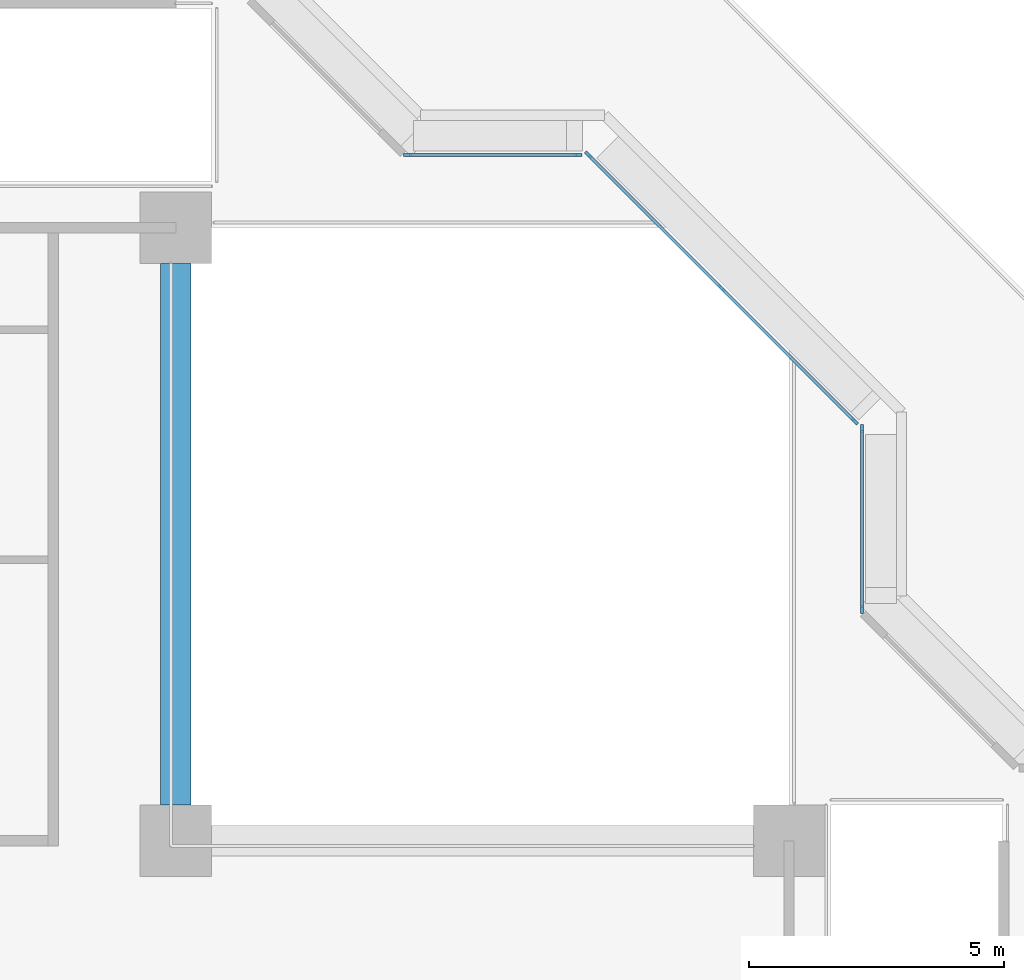
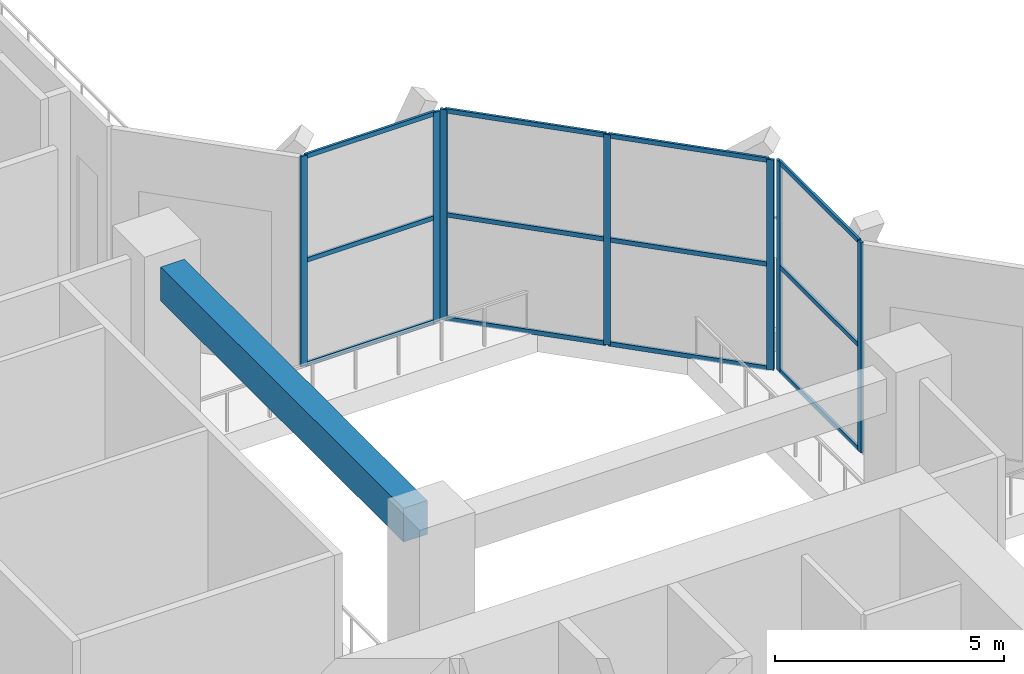
# One storey, part 2 of 16: 19 members, 1 beam, 3 elements without a shape of their own.
"""IFC4 building model written with IfcOpenShell, lengths in metres."""

from ifc_helpers import new_model, si_unit, direction, frame, origin, origin_2d, place, context, subcontext, project, spatial, rectangle, extrude, material, layer, layer_set, material_profile, profile_set, type_object, element, aggregate, save


model = new_model("IFC4")

# Units and contexts
model_context = context("Model", 3, precision=1e-05, world=origin(), true_north=direction((0.0, 1.0)))
body_context = subcontext(model_context, "Body", "Model", "MODEL_VIEW")
ifc_project = project(units=[si_unit("LENGTHUNIT", "METRE"), si_unit("AREAUNIT", "SQUARE_METRE"), si_unit("VOLUMEUNIT", "CUBIC_METRE"), si_unit("PLANEANGLEUNIT", "RADIAN"), si_unit("MASSUNIT", "GRAM", prefix="KILO")], contexts=[model_context])

# Site, building, storey
site_placement = place(None, origin())
site = spatial("IfcSite", under=ifc_project, at=site_placement, CompositionType="ELEMENT")
building_placement = place(site_placement, origin())
building = spatial("IfcBuilding", under=site, at=building_placement, Name="Chenar Terraces", CompositionType="ELEMENT")
storey_placement = place(building_placement, frame((0.0, 0.0, 35.39990234375)))
storey = spatial("IfcBuildingStorey", under=building, at=storey_placement, Name="L06", CompositionType="ELEMENT", Elevation=35.39990234375)

# Beam
ifc_material_1 = material(Name="Concrete C40/50", Category="concrete")
ifc_material_profile_1 = material_profile(ifc_material_1, rectangle(XDim=0.60009765625, YDim=0.89990234375, at=origin_2d()), Name="RC 600 x 900")
ifc_profile_set_1 = profile_set([ifc_material_profile_1], Name="Concrete C40/50")
beam_type = type_object("IfcBeamType", Name="Atrium edge beam 600 x 900 Concrete C40/50", PredefinedType="BEAM", material=ifc_profile_set_1)
beam_placement = place(storey_placement, frame((24.0, 35.300048828125, 5.150146484375), z_axis=(0.0, -1.0, 0.0), x_axis=(1.0, 0.0, 0.0)))
element("IfcBeam", 1, at=beam_placement, inside=storey, type_object=beam_type, Name="Atrium edge beam L07 4", PredefinedType="BEAM", context=body_context, shape_type="SweptSolid", body=[
    extrude(rectangle(XDim=0.60009765625, YDim=0.89990234375, at=origin_2d()), origin(), (0.0, 0.0, 1.0), 10.60009765625),
])

# Curtain wall, members
ifc_material_2 = material(Name="Aluminium framed glazing", Category="aluminium")
ifc_layer = layer(ifc_material_2, 0.14990234375)
ifc_layer_set = layer_set([ifc_layer], Name="Aluminium framed glazing")
curtain_wall_type = type_object("IfcCurtainWallType", Name="Atrium curtain wall", PredefinedType="NOTDEFINED", material=ifc_layer_set)
placement = place(storey_placement, origin())
curtain_wall_1 = element("IfcCurtainWall", 2, at=placement, inside=storey, type_object=curtain_wall_type, Name="Atrium curtain wall", PredefinedType="NOTDEFINED")
ifc_material_3 = material(Name="Aluminium", Category="aluminium")
ifc_material_profile_2 = material_profile(ifc_material_3, rectangle(XDim=0.06005859375, YDim=0.159912109375, at=origin_2d()), Name="Atrium glazing mullion 60 x 160")
ifc_profile_set_2 = profile_set([ifc_material_profile_2], Name="Aluminium")
member_type_1 = type_object("IfcMemberType", Name="Atrium glazing mullion 60 x 160", PredefinedType="MULLION", material=ifc_profile_set_2)
member_1_placement = place(storey_placement, frame((37.425048828125, 28.530029296875, 0.0), z_axis=(0.0, 0.0, 1.0), x_axis=(-1.0, 0.0, 0.0)))
member_1 = element("IfcMember", 3, at=member_1_placement, type_object=member_type_1, Name="CW1-1 mullion 1", PredefinedType="MULLION", context=body_context, shape_type="SweptSolid", body=[
    extrude(rectangle(XDim=0.06005859375, YDim=0.159912109375, at=origin_2d()), origin(), (0.0, 0.0, 1.0), 5.60009765625),
])
member_2_placement = place(storey_placement, frame((37.425048828125, 32.070068359375, 0.0), z_axis=(0.0, 0.0, 1.0), x_axis=(-1.0, 0.0, 0.0)))
member_2 = element("IfcMember", 4, at=member_2_placement, type_object=member_type_1, Name="CW1-1 mullion 2", PredefinedType="MULLION", context=body_context, shape_type="SweptSolid", body=[
    extrude(rectangle(XDim=0.06005859375, YDim=0.159912109375, at=origin_2d()), origin(), (0.0, 0.0, 1.0), 5.60009765625),
])

curtain_wall_2 = element("IfcCurtainWall", 5, at=placement, inside=storey, type_object=curtain_wall_type, Name="Atrium curtain wall", PredefinedType="NOTDEFINED")
member_3_placement = place(storey_placement, frame((37.284423828125, 32.209716796875, 0.0), z_axis=(0.0, 0.0, 1.0), x_axis=(-0.707106781187, -0.707106781187, 0.0)))
member_3 = element("IfcMember", 6, at=member_3_placement, type_object=member_type_1, Name="CW1-2 mullion 1", PredefinedType="MULLION", context=body_context, shape_type="SweptSolid", body=[
    extrude(rectangle(XDim=0.06005859375, YDim=0.159912109375, at=origin_2d()), origin(), (0.0, 0.0, 1.0), 5.60009765625),
])
member_4_placement = place(storey_placement, frame((34.67626953125, 34.817626953125, 0.0), z_axis=(0.0, 0.0, 1.0), x_axis=(-0.707106781187, -0.707106781187, 0.0)))
member_4 = element("IfcMember", 7, at=member_4_placement, type_object=member_type_1, Name="CW1-2 mullion 2", PredefinedType="MULLION", context=body_context, shape_type="SweptSolid", body=[
    extrude(rectangle(XDim=0.06005859375, YDim=0.159912109375, at=origin_2d()), origin(), (0.0, 0.0, 1.0), 5.60009765625),
])
member_5_placement = place(storey_placement, frame((32.068115234375, 37.42578125, 0.0), z_axis=(0.0, 0.0, 1.0), x_axis=(-0.707106781187, -0.707106781187, 0.0)))
member_5 = element("IfcMember", 8, at=member_5_placement, type_object=member_type_1, Name="CW1-2 mullion 3", PredefinedType="MULLION", context=body_context, shape_type="SweptSolid", body=[
    extrude(rectangle(XDim=0.06005859375, YDim=0.159912109375, at=origin_2d()), origin(), (0.0, 0.0, 1.0), 5.60009765625),
])

curtain_wall_3 = element("IfcCurtainWall", 9, at=placement, inside=storey, type_object=curtain_wall_type, Name="Atrium curtain wall", PredefinedType="NOTDEFINED")
member_6_placement = place(storey_placement, frame((31.8701171875, 37.425048828125, 0.0), z_axis=(0.0, 0.0, 1.0), x_axis=(0.0, -1.0, 0.0)))
member_6 = element("IfcMember", 10, at=member_6_placement, type_object=member_type_1, Name="CW1-3 mullion 1", PredefinedType="MULLION", context=body_context, shape_type="SweptSolid", body=[
    extrude(rectangle(XDim=0.06005859375, YDim=0.159912109375, at=origin_2d()), origin(), (0.0, 0.0, 1.0), 5.60009765625),
])
member_7_placement = place(storey_placement, frame((28.530029296875, 37.425048828125, 0.0), z_axis=(0.0, 0.0, 1.0), x_axis=(0.0, -1.0, 0.0)))
member_7 = element("IfcMember", 11, at=member_7_placement, type_object=member_type_1, Name="CW1-3 mullion 2", PredefinedType="MULLION", context=body_context, shape_type="SweptSolid", body=[
    extrude(rectangle(XDim=0.06005859375, YDim=0.159912109375, at=origin_2d()), origin(), (0.0, 0.0, 1.0), 5.60009765625),
])

# Member
ifc_material_4 = material(Name="Aluminium", Category="aluminium")
ifc_material_profile_3 = material_profile(ifc_material_4, rectangle(XDim=0.06005859375, YDim=0.1201171875, at=origin_2d()), Name="Atrium glazing transom 60 x 120")
ifc_profile_set_3 = profile_set([ifc_material_profile_3], Name="Aluminium")
member_type_2 = type_object("IfcMemberType", Name="Atrium glazing transom 60 x 120", PredefinedType="USERDEFINED", material=ifc_profile_set_3)
member_8_placement = place(storey_placement, frame((37.425048828125, 28.56005859375, 0.030029296875), z_axis=(0.0, 1.0, 0.0), x_axis=(-1.0, 0.0, 0.0)))
member_8 = element("IfcMember", 12, at=member_8_placement, type_object=member_type_2, Name="CW1-1 transom 1.1", ObjectType="TRANSOM", PredefinedType="USERDEFINED", context=body_context, shape_type="SweptSolid", body=[
    extrude(rectangle(XDim=0.06005859375, YDim=0.1201171875, at=origin_2d()), origin(), (0.0, 0.0, 1.0), 3.47998046875),
])

member_9_placement = place(storey_placement, frame((37.425048828125, 28.56005859375, 2.800048828125), z_axis=(0.0, 1.0, 0.0), x_axis=(-1.0, 0.0, 0.0)))
member_9 = element("IfcMember", 13, at=member_9_placement, type_object=member_type_2, Name="CW1-1 transom 1.2", ObjectType="TRANSOM", PredefinedType="USERDEFINED", context=body_context, shape_type="SweptSolid", body=[
    extrude(rectangle(XDim=0.06005859375, YDim=0.1201171875, at=origin_2d()), origin(), (0.0, 0.0, 1.0), 3.47998046875),
])

member_10_placement = place(storey_placement, frame((37.425048828125, 28.56005859375, 5.570068359375), z_axis=(0.0, 1.0, 0.0), x_axis=(-1.0, 0.0, 0.0)))
member_10 = element("IfcMember", 14, at=member_10_placement, type_object=member_type_2, Name="CW1-1 transom 1.3", ObjectType="TRANSOM", PredefinedType="USERDEFINED", context=body_context, shape_type="SweptSolid", body=[
    extrude(rectangle(XDim=0.06005859375, YDim=0.1201171875, at=origin_2d()), origin(), (0.0, 0.0, 1.0), 3.47998046875),
])

aggregate(curtain_wall_1, [member_1, member_2, member_8, member_9, member_10])

member_11_placement = place(storey_placement, frame((37.26318359375, 32.230712890625, 0.030029296875), z_axis=(-0.707106781187, 0.707106781187, 0.0), x_axis=(-0.707106781187, -0.707106781187, 0.0)))
member_11 = element("IfcMember", 15, at=member_11_placement, type_object=member_type_2, Name="CW1-2 transom 1.1", ObjectType="TRANSOM", PredefinedType="USERDEFINED", context=body_context, shape_type="SweptSolid", body=[
    extrude(rectangle(XDim=0.06005859375, YDim=0.1201171875, at=origin_2d()), origin(), (0.0, 0.0, 1.0), 3.62841796875),
])

member_12_placement = place(storey_placement, frame((37.26318359375, 32.230712890625, 2.800048828125), z_axis=(-0.707106781187, 0.707106781187, 0.0), x_axis=(-0.707106781187, -0.707106781187, 0.0)))
member_12 = element("IfcMember", 16, at=member_12_placement, type_object=member_type_2, Name="CW1-2 transom 1.2", ObjectType="TRANSOM", PredefinedType="USERDEFINED", context=body_context, shape_type="SweptSolid", body=[
    extrude(rectangle(XDim=0.06005859375, YDim=0.1201171875, at=origin_2d()), origin(), (0.0, 0.0, 1.0), 3.62841796875),
])

member_13_placement = place(storey_placement, frame((37.26318359375, 32.230712890625, 5.570068359375), z_axis=(-0.707106781187, 0.707106781187, 0.0), x_axis=(-0.707106781187, -0.707106781187, 0.0)))
member_13 = element("IfcMember", 17, at=member_13_placement, type_object=member_type_2, Name="CW1-2 transom 1.3", ObjectType="TRANSOM", PredefinedType="USERDEFINED", context=body_context, shape_type="SweptSolid", body=[
    extrude(rectangle(XDim=0.06005859375, YDim=0.1201171875, at=origin_2d()), origin(), (0.0, 0.0, 1.0), 3.62841796875),
])

member_14_placement = place(storey_placement, frame((34.655029296875, 34.8388671875, 0.030029296875), z_axis=(-0.707106781187, 0.707106781187, 0.0), x_axis=(-0.707106781187, -0.707106781187, 0.0)))
member_14 = element("IfcMember", 18, at=member_14_placement, type_object=member_type_2, Name="CW1-2 transom 2.1", ObjectType="TRANSOM", PredefinedType="USERDEFINED", context=body_context, shape_type="SweptSolid", body=[
    extrude(rectangle(XDim=0.06005859375, YDim=0.1201171875, at=origin_2d()), origin(), (0.0, 0.0, 1.0), 3.62841796875),
])

member_15_placement = place(storey_placement, frame((34.655029296875, 34.8388671875, 2.800048828125), z_axis=(-0.707106781187, 0.707106781187, 0.0), x_axis=(-0.707106781187, -0.707106781187, 0.0)))
member_15 = element("IfcMember", 19, at=member_15_placement, type_object=member_type_2, Name="CW1-2 transom 2.2", ObjectType="TRANSOM", PredefinedType="USERDEFINED", context=body_context, shape_type="SweptSolid", body=[
    extrude(rectangle(XDim=0.06005859375, YDim=0.1201171875, at=origin_2d()), origin(), (0.0, 0.0, 1.0), 3.62841796875),
])

member_16_placement = place(storey_placement, frame((34.655029296875, 34.8388671875, 5.570068359375), z_axis=(-0.707106781187, 0.707106781187, 0.0), x_axis=(-0.707106781187, -0.707106781187, 0.0)))
member_16 = element("IfcMember", 20, at=member_16_placement, type_object=member_type_2, Name="CW1-2 transom 2.3", ObjectType="TRANSOM", PredefinedType="USERDEFINED", context=body_context, shape_type="SweptSolid", body=[
    extrude(rectangle(XDim=0.06005859375, YDim=0.1201171875, at=origin_2d()), origin(), (0.0, 0.0, 1.0), 3.62841796875),
])

aggregate(curtain_wall_2, [member_3, member_4, member_5, member_11, member_12, member_13, member_14, member_15, member_16])

member_17_placement = place(storey_placement, frame((31.840087890625, 37.425048828125, 0.030029296875), z_axis=(-1.0, 0.0, 0.0), x_axis=(0.0, -1.0, 0.0)))
member_17 = element("IfcMember", 21, at=member_17_placement, type_object=member_type_2, Name="CW1-3 transom 1.1", ObjectType="TRANSOM", PredefinedType="USERDEFINED", context=body_context, shape_type="SweptSolid", body=[
    extrude(rectangle(XDim=0.06005859375, YDim=0.1201171875, at=origin_2d()), origin(), (0.0, 0.0, 1.0), 3.280029296875),
])

member_18_placement = place(storey_placement, frame((31.840087890625, 37.425048828125, 2.800048828125), z_axis=(-1.0, 0.0, 0.0), x_axis=(0.0, -1.0, 0.0)))
member_18 = element("IfcMember", 22, at=member_18_placement, type_object=member_type_2, Name="CW1-3 transom 1.2", ObjectType="TRANSOM", PredefinedType="USERDEFINED", context=body_context, shape_type="SweptSolid", body=[
    extrude(rectangle(XDim=0.06005859375, YDim=0.1201171875, at=origin_2d()), origin(), (0.0, 0.0, 1.0), 3.280029296875),
])

member_19_placement = place(storey_placement, frame((31.840087890625, 37.425048828125, 5.570068359375), z_axis=(-1.0, 0.0, 0.0), x_axis=(0.0, -1.0, 0.0)))
member_19 = element("IfcMember", 23, at=member_19_placement, type_object=member_type_2, Name="CW1-3 transom 1.3", ObjectType="TRANSOM", PredefinedType="USERDEFINED", context=body_context, shape_type="SweptSolid", body=[
    extrude(rectangle(XDim=0.06005859375, YDim=0.1201171875, at=origin_2d()), origin(), (0.0, 0.0, 1.0), 3.280029296875),
])

aggregate(curtain_wall_3, [member_6, member_7, member_17, member_18, member_19])

save(model, "model.ifc")
